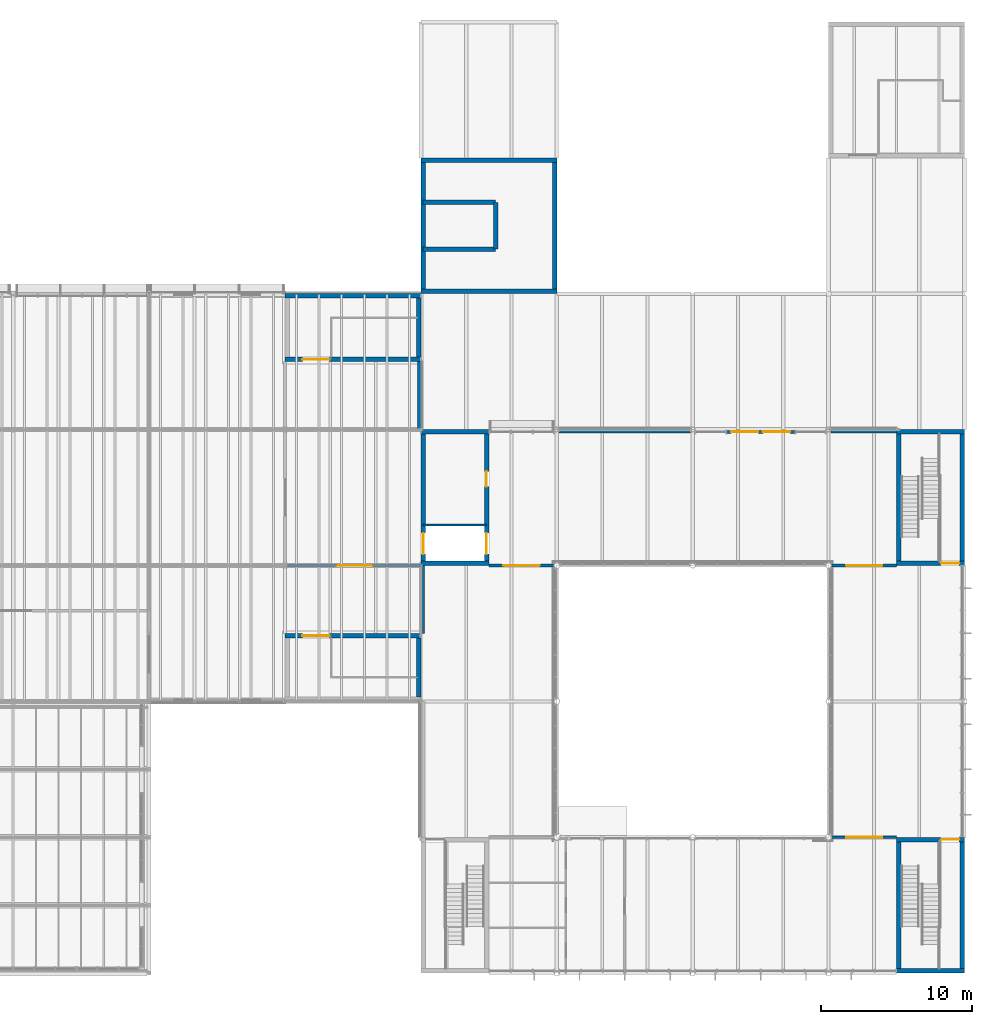
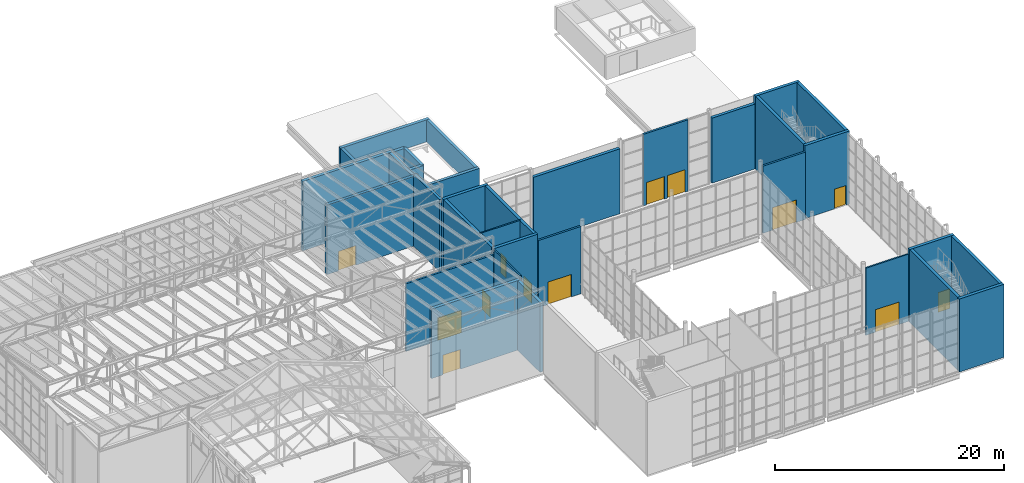
# One storey, part 76 of 90: 34 walls, 13 doors, 13 openings.
"""IFC4 building model written with IfcOpenShell, lengths in metres."""

from ifc_helpers import new_model, si_unit, direction, frame, frame_2d, origin, place, context, subcontext, project, spatial, rectangle, extrude, material, layer, layer_set, type_object, element, fill, save


model = new_model("IFC4")

# Units and contexts
model_context = context("Model", 3, precision=1e-05, world=origin(), true_north=direction((0.0, 1.0)))
body_context = subcontext(model_context, "Body", "Model", "MODEL_VIEW")
ifc_project = project(units=[si_unit("LENGTHUNIT", "METRE"), si_unit("AREAUNIT", "SQUARE_METRE"), si_unit("VOLUMEUNIT", "CUBIC_METRE"), si_unit("PLANEANGLEUNIT", "RADIAN"), si_unit("MASSUNIT", "GRAM", prefix="KILO")], contexts=[model_context])

# Site, building, storey
site_placement = place(None, origin())
site = spatial("IfcSite", under=ifc_project, at=site_placement, CompositionType="ELEMENT")
building_placement = place(site_placement, origin())
building = spatial("IfcBuilding", under=site, at=building_placement, Name="Halyard Row Museum", CompositionType="ELEMENT")
storey_placement = place(building_placement, frame((0.0, 0.0, 13.39990234375)))
storey = spatial("IfcBuildingStorey", under=building, at=storey_placement, Name="L03", CompositionType="ELEMENT", Elevation=13.39990234375)

# Walls
ifc_material_1 = material(Name="Concrete 40 MPa", Category="concrete")
ifc_layer_1 = layer(ifc_material_1, 0.300048828125)
ifc_layer_set_1 = layer_set([ifc_layer_1], Name="Concrete 40 MPa")
wall_type_1 = type_object("IfcWallType", Name="Core wall 300 lift shaft", PredefinedType="SOLIDWALL", material=ifc_layer_set_1)
wall_1_placement = place(storey_placement, frame((72.0, 45.14990234375, 0.0), z_axis=(0.0, 0.0, 1.0), x_axis=(1.0, 0.0, 0.0)))
element("IfcWall", 1, at=wall_1_placement, inside=storey, type_object=wall_type_1, Name="Core wall K8 S L03", PredefinedType="SOLIDWALL", context=body_context, shape_type="SweptSolid", body=[
    extrude(rectangle(XDim=9.0, YDim=0.300048828125, at=frame_2d((4.5, 0.0))), origin(), (0.0, 0.0, 1.0), 2.35009765625),
])
wall_2_placement = place(storey_placement, frame((80.85009765625, 45.300048828125, 0.0), z_axis=(0.0, 0.0, 1.0), x_axis=(0.0, 1.0, 0.0)))
element("IfcWall", 2, at=wall_2_placement, inside=storey, type_object=wall_type_1, Name="Core wall K8 E L03", PredefinedType="SOLIDWALL", context=body_context, shape_type="SweptSolid", body=[
    extrude(rectangle(XDim=8.39990234375, YDim=0.300048828125, at=frame_2d((4.199951171875, 0.0))), origin(), (0.0, 0.0, 1.0), 2.35009765625),
])
wall_3_placement = place(storey_placement, frame((72.0, 53.85009765625, 0.0), z_axis=(0.0, 0.0, 1.0), x_axis=(1.0, 0.0, 0.0)))
element("IfcWall", 3, at=wall_3_placement, inside=storey, type_object=wall_type_1, Name="Core wall K8 N L03", PredefinedType="SOLIDWALL", context=body_context, shape_type="SweptSolid", body=[
    extrude(rectangle(XDim=9.0, YDim=0.300048828125, at=frame_2d((4.5, 0.0))), origin(), (0.0, 0.0, 1.0), 2.35009765625),
])
wall_4_placement = place(storey_placement, frame((72.14990234375, 45.300048828125, 0.0), z_axis=(0.0, 0.0, 1.0), x_axis=(0.0, 1.0, 0.0)))
element("IfcWall", 4, at=wall_4_placement, inside=storey, type_object=wall_type_1, Name="Core wall K8 W L03", PredefinedType="SOLIDWALL", context=body_context, shape_type="SweptSolid", body=[
    extrude(rectangle(XDim=8.39990234375, YDim=0.300048828125, at=frame_2d((4.199951171875, 0.0))), origin(), (0.0, 0.0, 1.0), 2.35009765625),
])
wall_5_placement = place(storey_placement, frame((76.949951171875, 47.949951171875, 0.0), z_axis=(0.0, 0.0, 1.0), x_axis=(0.0, 1.0, 0.0)))
element("IfcWall", 5, at=wall_5_placement, inside=storey, type_object=wall_type_1, Name="Shaft wall GL1 front L03", PredefinedType="SOLIDWALL", context=body_context, shape_type="SweptSolid", body=[
    extrude(rectangle(XDim=3.10009765625, YDim=0.300048828125, at=frame_2d((1.550048828125, 0.0))), origin(), (0.0, 0.0, 1.0), 2.35009765625),
])
for number, where, z_axis, x_axis, name in (
    (6, (72.14990234375, 47.949951171875, 0.0), (0.0, 0.0, 1.0), (1.0, 0.0, 0.0), "Shaft wall GL1 A L03"),
    (7, (72.14990234375, 51.050048828125, 0.0), (0.0, 0.0, 1.0), (1.0, 0.0, 0.0), "Shaft wall GL1 B L03"),
):
    element("IfcWall", number, at=place(storey_placement, frame(where, z_axis=z_axis, x_axis=x_axis)), inside=storey, type_object=wall_type_1, Name=name, PredefinedType="SOLIDWALL", context=body_context, shape_type="SweptSolid", body=[
        extrude(rectangle(XDim=4.800048828125, YDim=0.300048828125, at=frame_2d((2.39990234375, 0.0))), origin(), (0.0, 0.0, 1.0), 2.35009765625),
    ])
wall_6_placement = place(storey_placement, frame((72.0, 27.14990234375, 0.0), z_axis=(0.0, 0.0, 1.0), x_axis=(1.0, 0.0, 0.0)))
element("IfcWall", 8, at=wall_6_placement, inside=storey, type_object=wall_type_1, Name="Core wall K7 S L03", PredefinedType="SOLIDWALL", context=body_context, shape_type="SweptSolid", body=[
    extrude(rectangle(XDim=4.5, YDim=0.300048828125, at=frame_2d((2.25, 0.0))), origin(), (0.0, 0.0, 1.0), 7.800048828125),
])

# Wall, openings, doors
wall_7_placement = place(storey_placement, frame((76.35009765625, 27.300048828125, 0.0), z_axis=(0.0, 0.0, 1.0), x_axis=(0.0, 1.0, 0.0)))
wall_7 = element("IfcWall", 9, at=wall_7_placement, inside=storey, type_object=wall_type_1, Name="Core wall K7 E L03", PredefinedType="SOLIDWALL", context=body_context, shape_type="SweptSolid", body=[
    extrude(rectangle(XDim=8.39990234375, YDim=0.300048828125, at=frame_2d((4.199951171875, 0.0))), origin(), (0.0, 0.0, 1.0), 7.800048828125),
])
opening_1_placement = place(wall_7_placement, frame((0.449951171875, 0.0, 0.0)))
opening_1 = element("IfcOpeningElement", 10, at=opening_1_placement, cuts=wall_7, Name="Opening LDPL1-L03", PredefinedType="OPENING", context=body_context, shape_type="SweptSolid", body=[
    extrude(rectangle(XDim=1.39990234375, YDim=2.10009765625, at=frame_2d((0.699951171875, 1.050048828125))), frame((0.0, 0.159912109375, 0.0), z_axis=(0.0, -1.0, 0.0), x_axis=(1.0, 0.0, 0.0)), (0.0, 0.0, 1.0), 0.320068359375),
])
opening_2_placement = place(wall_7_placement, frame((4.925048828125, 0.0, 0.0)))
opening_2 = element("IfcOpeningElement", 11, at=opening_2_placement, cuts=wall_7, Name="Opening DL03-009", PredefinedType="OPENING", context=body_context, shape_type="SweptSolid", body=[
    extrude(rectangle(XDim=1.0, YDim=2.10009765625, at=frame_2d((0.5, 1.050048828125))), frame((0.0, 0.159912109375, 0.0), z_axis=(0.0, -1.0, 0.0), x_axis=(1.0, 0.0, 0.0)), (0.0, 0.0, 1.0), 0.320068359375),
])
ifc_material_2 = material(Name="Stainless steel sliding car and landing doors", Category="steel")
door_type_1 = type_object("IfcDoorType", Name="Lift landing door 1400 x 2100", OperationType="SLIDING_TO_LEFT", PredefinedType="DOOR", material=ifc_material_2)
door_1_placement = place(opening_1_placement, origin())
door_1 = element("IfcDoor", 12, at=door_1_placement, inside=storey, type_object=door_type_1, Name="Landing door PL1 E L03", OperationType="SLIDING_TO_LEFT", OverallHeight=2.10009765625, OverallWidth=1.39990234375, PredefinedType="DOOR", context=body_context, shape_type="SweptSolid", body=[
    extrude(rectangle(XDim=1.39990234375, YDim=2.10009765625, at=frame_2d((0.699951171875, 1.050048828125))), frame((0.0, 0.02490234375, 0.0), z_axis=(0.0, -1.0, 0.0), x_axis=(1.0, 0.0, 0.0)), (0.0, 0.0, 1.0), 0.050048828125),
])
fill(opening_1, door_1)
ifc_material_3 = material(Name="Galvanised steel door leaf and frame", Category="steel")
door_type_2 = type_object("IfcDoorType", Name="Riser door 1000 x 2100 fire rated", OperationType="NOTDEFINED", PredefinedType="DOOR", material=ifc_material_3)
door_2_placement = place(opening_2_placement, frame((1.0, 0.0, 0.0), z_axis=(0.0, 0.0, 1.0), x_axis=(-1.0, 0.0, 0.0)))
door_2 = element("IfcDoor", 13, at=door_2_placement, inside=storey, type_object=door_type_2, Name="Riser door K7 L03", OperationType="SINGLE_SWING_RIGHT", OverallHeight=2.10009765625, OverallWidth=1.0, PredefinedType="DOOR", context=body_context, shape_type="SweptSolid", body=[
    extrude(rectangle(XDim=1.0, YDim=2.10009765625, at=frame_2d((0.5, 1.050048828125))), frame((0.0, 0.02490234375, 0.0), z_axis=(0.0, -1.0, 0.0), x_axis=(1.0, 0.0, 0.0)), (0.0, 0.0, 1.0), 0.050048828125),
])
fill(opening_2, door_2)

# Wall
wall_8_placement = place(storey_placement, frame((72.0, 35.85009765625, 0.0), z_axis=(0.0, 0.0, 1.0), x_axis=(1.0, 0.0, 0.0)))
element("IfcWall", 14, at=wall_8_placement, inside=storey, type_object=wall_type_1, Name="Core wall K7 N L03", PredefinedType="SOLIDWALL", context=body_context, shape_type="SweptSolid", body=[
    extrude(rectangle(XDim=4.5, YDim=0.300048828125, at=frame_2d((2.25, 0.0))), origin(), (0.0, 0.0, 1.0), 7.800048828125),
])

# Wall, opening, door
wall_9_placement = place(storey_placement, frame((72.14990234375, 27.300048828125, 0.0), z_axis=(0.0, 0.0, 1.0), x_axis=(0.0, 1.0, 0.0)))
wall_9 = element("IfcWall", 15, at=wall_9_placement, inside=storey, type_object=wall_type_1, Name="Core wall K7 W L03", PredefinedType="SOLIDWALL", context=body_context, shape_type="SweptSolid", body=[
    extrude(rectangle(XDim=8.39990234375, YDim=0.300048828125, at=frame_2d((4.199951171875, 0.0))), origin(), (0.0, 0.0, 1.0), 7.800048828125),
])
opening_3_placement = place(wall_9_placement, frame((0.449951171875, 0.0, 0.0)))
opening_3 = element("IfcOpeningElement", 16, at=opening_3_placement, cuts=wall_9, Name="Opening LDPL1W-L03", PredefinedType="OPENING", context=body_context, shape_type="SweptSolid", body=[
    extrude(rectangle(XDim=1.39990234375, YDim=2.10009765625, at=frame_2d((0.699951171875, 1.050048828125))), frame((0.0, 0.159912109375, 0.0), z_axis=(0.0, -1.0, 0.0), x_axis=(1.0, 0.0, 0.0)), (0.0, 0.0, 1.0), 0.320068359375),
])
door_3_placement = place(opening_3_placement, origin())
door_3 = element("IfcDoor", 17, at=door_3_placement, inside=storey, type_object=door_type_1, Name="Landing door PL1 W L03", OperationType="SLIDING_TO_RIGHT", OverallHeight=2.10009765625, OverallWidth=1.39990234375, PredefinedType="DOOR", context=body_context, shape_type="SweptSolid", body=[
    extrude(rectangle(XDim=1.39990234375, YDim=2.10009765625, at=frame_2d((0.699951171875, 1.050048828125))), frame((0.0, 0.02490234375, 0.0), z_axis=(0.0, -1.0, 0.0), x_axis=(1.0, 0.0, 0.0)), (0.0, 0.0, 1.0), 0.050048828125),
])
fill(opening_3, door_3)

# Wall, openings, doors
ifc_material_4 = material(Name="Powder-coated aluminium section", Category="aluminium")
ifc_layer_2 = layer(ifc_material_4, 0.199951171875)
ifc_layer_set_2 = layer_set([ifc_layer_2], Name="Powder-coated aluminium section")
wall_type_2 = type_object("IfcWallType", Name="Entrance screen frame 200 aluminium", PredefinedType="SOLIDWALL", material=ifc_layer_set_2)
wall_10_placement = place(storey_placement, frame((92.25, 35.85009765625, 0.0), z_axis=(0.0, 0.0, 1.0), x_axis=(1.0, 0.0, 0.0)))
wall_10 = element("IfcWall", 18, at=wall_10_placement, inside=storey, type_object=wall_type_2, Name="Wall WL03-813", PredefinedType="SOLIDWALL", context=body_context, shape_type="SweptSolid", body=[
    extrude(rectangle(XDim=4.5, YDim=0.199951171875, at=frame_2d((2.25, 0.0))), origin(), (0.0, 0.0, 1.0), 7.635009765625),
])
opening_4_placement = place(wall_10_placement, frame((2.39990234375, 0.0, 0.0)))
opening_4 = element("IfcOpeningElement", 19, at=opening_4_placement, cuts=wall_10, Name="Opening DL03-400", PredefinedType="OPENING", context=body_context, shape_type="SweptSolid", body=[
    extrude(rectangle(XDim=1.800048828125, YDim=2.39990234375, at=frame_2d((0.89990234375, 1.199951171875))), frame((0.0, 0.10986328125, 0.0), z_axis=(0.0, -1.0, 0.0), x_axis=(1.0, 0.0, 0.0)), (0.0, 0.0, 1.0), 0.219970703125),
])
opening_5_placement = place(wall_10_placement, frame((0.300048828125, 0.0, 0.0)))
opening_5 = element("IfcOpeningElement", 20, at=opening_5_placement, cuts=wall_10, Name="Opening DL03-401", PredefinedType="OPENING", context=body_context, shape_type="SweptSolid", body=[
    extrude(rectangle(XDim=1.800048828125, YDim=2.39990234375, at=frame_2d((0.89990234375, 1.199951171875))), frame((0.0, 0.10986328125, 0.0), z_axis=(0.0, -1.0, 0.0), x_axis=(1.0, 0.0, 0.0)), (0.0, 0.0, 1.0), 0.219970703125),
])
ifc_material_5 = material(Name="Powder-coated aluminium section", Category="aluminium")
door_type_3 = type_object("IfcDoorType", Name="Door DE6 terrace double glazed 1800 x 2400", OperationType="NOTDEFINED", PredefinedType="DOOR", material=ifc_material_5)
door_4_placement = place(opening_4_placement, origin())
door_4 = element("IfcDoor", 21, at=door_4_placement, inside=storey, type_object=door_type_3, Name="Door DL03-400", OperationType="DOUBLE_DOOR_SINGLE_SWING", OverallHeight=2.39990234375, OverallWidth=1.800048828125, PredefinedType="DOOR", context=body_context, shape_type="SweptSolid", body=[
    extrude(rectangle(XDim=1.800048828125, YDim=2.39990234375, at=frame_2d((0.89990234375, 1.199951171875))), frame((0.0, 0.02490234375, 0.0), z_axis=(0.0, -1.0, 0.0), x_axis=(1.0, 0.0, 0.0)), (0.0, 0.0, 1.0), 0.050048828125),
])
fill(opening_4, door_4)
door_5_placement = place(opening_5_placement, origin())
door_5 = element("IfcDoor", 22, at=door_5_placement, inside=storey, type_object=door_type_3, Name="Door DL03-401", OperationType="DOUBLE_DOOR_SINGLE_SWING", OverallHeight=2.39990234375, OverallWidth=1.800048828125, PredefinedType="DOOR", context=body_context, shape_type="SweptSolid", body=[
    extrude(rectangle(XDim=1.800048828125, YDim=2.39990234375, at=frame_2d((0.89990234375, 1.199951171875))), frame((0.0, 0.02490234375, 0.0), z_axis=(0.0, -1.0, 0.0), x_axis=(1.0, 0.0, 0.0)), (0.0, 0.0, 1.0), 0.050048828125),
])
fill(opening_5, door_5)

# Wall, opening, door
ifc_material_6 = material(Name="Concrete 40 MPa", Category="concrete")
ifc_layer_3 = layer(ifc_material_6, 0.300048828125)
ifc_layer_set_3 = layer_set([ifc_layer_3], Name="Concrete 40 MPa")
wall_type_3 = type_object("IfcWallType", Name="Exitway wall 300 reinforced concrete", PredefinedType="SOLIDWALL", material=ifc_layer_set_3)
wall_11_placement = place(storey_placement, frame((63.0, 40.64990234375, 0.0), z_axis=(0.0, 0.0, 1.0), x_axis=(1.0, 0.0, 0.0)))
wall_11 = element("IfcWall", 23, at=wall_11_placement, inside=storey, type_object=wall_type_3, Name="Core wall K1B S L03", PredefinedType="SOLIDWALL", context=body_context, shape_type="SweptSolid", body=[
    extrude(rectangle(XDim=9.0, YDim=0.300048828125, at=frame_2d((4.5, 0.0))), origin(), (0.0, 0.0, 1.0), 7.42822265625),
])
opening_6_placement = place(wall_11_placement, frame((1.14990234375, 0.0, 0.0)))
opening_6 = element("IfcOpeningElement", 24, at=opening_6_placement, cuts=wall_11, Name="Opening DL03-002", PredefinedType="OPENING", context=body_context, shape_type="SweptSolid", body=[
    extrude(rectangle(XDim=1.800048828125, YDim=2.10009765625, at=frame_2d((0.89990234375, 1.050048828125))), frame((0.0, 0.159912109375, 0.0), z_axis=(0.0, -1.0, 0.0), x_axis=(1.0, 0.0, 0.0)), (0.0, 0.0, 1.0), 0.320068359375),
])
ifc_material_7 = material(Name="Fire-resisting timber door leaf and steel frame", Category="steel")
door_type_4 = type_object("IfcDoorType", Name="Exitway door 1800 x 2100 fire rated", OperationType="NOTDEFINED", PredefinedType="DOOR", material=ifc_material_7)
door_6_placement = place(opening_6_placement, origin())
door_6 = element("IfcDoor", 25, at=door_6_placement, inside=storey, type_object=door_type_4, Name="Exitway door K1B L03", OperationType="DOUBLE_DOOR_SINGLE_SWING", OverallHeight=2.10009765625, OverallWidth=1.800048828125, PredefinedType="DOOR", context=body_context, shape_type="SweptSolid", body=[
    extrude(rectangle(XDim=1.800048828125, YDim=2.10009765625, at=frame_2d((0.89990234375, 1.050048828125))), frame((0.0, 0.02490234375, 0.0), z_axis=(0.0, -1.0, 0.0), x_axis=(1.0, 0.0, 0.0)), (0.0, 0.0, 1.0), 0.050048828125),
])
fill(opening_6, door_6)

# Walls
wall_12_placement = place(storey_placement, frame((71.85009765625, 40.800048828125, 0.0), z_axis=(0.0, 0.0, 1.0), x_axis=(0.0, 1.0, 0.0)))
element("IfcWall", 26, at=wall_12_placement, inside=storey, type_object=wall_type_3, Name="Core wall K1B E L03", PredefinedType="SOLIDWALL", context=body_context, shape_type="SweptSolid", body=[
    extrude(rectangle(XDim=3.89990234375, YDim=0.300048828125, at=frame_2d((1.949951171875, 0.0))), origin(), (0.0, 0.0, 1.0), 7.42822265625),
])
wall_13_placement = place(storey_placement, frame((63.0, 44.85009765625, 0.0), z_axis=(0.0, 0.0, 1.0), x_axis=(1.0, 0.0, 0.0)))
element("IfcWall", 27, at=wall_13_placement, inside=storey, type_object=wall_type_3, Name="Core wall K1B N L03", PredefinedType="SOLIDWALL", context=body_context, shape_type="SweptSolid", body=[
    extrude(rectangle(XDim=9.0, YDim=0.300048828125, at=frame_2d((4.5, 0.0))), origin(), (0.0, 0.0, 1.0), 7.42822265625),
])
wall_14_placement = place(storey_placement, frame((71.85009765625, 18.300048828125, 0.0), z_axis=(0.0, 0.0, 1.0), x_axis=(0.0, 1.0, 0.0)))
element("IfcWall", 28, at=wall_14_placement, inside=storey, type_object=wall_type_3, Name="Core wall K1C E L03", PredefinedType="SOLIDWALL", context=body_context, shape_type="SweptSolid", body=[
    extrude(rectangle(XDim=3.89990234375, YDim=0.300048828125, at=frame_2d((1.949951171875, 0.0))), origin(), (0.0, 0.0, 1.0), 7.42822265625),
])

# Wall, opening, door
wall_15_placement = place(storey_placement, frame((63.0, 22.35009765625, 0.0), z_axis=(0.0, 0.0, 1.0), x_axis=(1.0, 0.0, 0.0)))
wall_15 = element("IfcWall", 29, at=wall_15_placement, inside=storey, type_object=wall_type_3, Name="Core wall K1C N L03", PredefinedType="SOLIDWALL", context=body_context, shape_type="SweptSolid", body=[
    extrude(rectangle(XDim=9.0, YDim=0.300048828125, at=frame_2d((4.5, 0.0))), origin(), (0.0, 0.0, 1.0), 7.42822265625),
])
opening_7_placement = place(wall_15_placement, frame((1.14990234375, 0.0, 0.0)))
opening_7 = element("IfcOpeningElement", 30, at=opening_7_placement, cuts=wall_15, Name="Opening DL03-003", PredefinedType="OPENING", context=body_context, shape_type="SweptSolid", body=[
    extrude(rectangle(XDim=1.800048828125, YDim=2.10009765625, at=frame_2d((0.89990234375, 1.050048828125))), frame((0.0, 0.159912109375, 0.0), z_axis=(0.0, -1.0, 0.0), x_axis=(1.0, 0.0, 0.0)), (0.0, 0.0, 1.0), 0.320068359375),
])
door_7_placement = place(opening_7_placement, frame((1.800048828125, 0.0, 0.0), z_axis=(0.0, 0.0, 1.0), x_axis=(-1.0, 0.0, 0.0)))
door_7 = element("IfcDoor", 31, at=door_7_placement, inside=storey, type_object=door_type_4, Name="Exitway door K1C L03", OperationType="DOUBLE_DOOR_SINGLE_SWING", OverallHeight=2.10009765625, OverallWidth=1.800048828125, PredefinedType="DOOR", context=body_context, shape_type="SweptSolid", body=[
    extrude(rectangle(XDim=1.800048828125, YDim=2.10009765625, at=frame_2d((0.89990234375, 1.050048828125))), frame((0.0, 0.02490234375, 0.0), z_axis=(0.0, -1.0, 0.0), x_axis=(1.0, 0.0, 0.0)), (0.0, 0.0, 1.0), 0.050048828125),
])
fill(opening_7, door_7)

# Walls
wall_16_placement = place(storey_placement, frame((103.5, 0.14990234375, 0.0), z_axis=(0.0, 0.0, 1.0), x_axis=(1.0, 0.0, 0.0)))
element("IfcWall", 32, at=wall_16_placement, inside=storey, type_object=wall_type_3, Name="Core wall K2B S L03", PredefinedType="SOLIDWALL", context=body_context, shape_type="SweptSolid", body=[
    extrude(rectangle(XDim=4.5, YDim=0.300048828125, at=frame_2d((2.25, 0.0))), origin(), (0.0, 0.0, 1.0), 7.800048828125),
])
wall_17_placement = place(storey_placement, frame((107.85009765625, 0.300048828125, 0.0), z_axis=(0.0, 0.0, 1.0), x_axis=(0.0, 1.0, 0.0)))
element("IfcWall", 33, at=wall_17_placement, inside=storey, type_object=wall_type_3, Name="Core wall K2B E L03", PredefinedType="SOLIDWALL", context=body_context, shape_type="SweptSolid", body=[
    extrude(rectangle(XDim=8.39990234375, YDim=0.300048828125, at=frame_2d((4.199951171875, 0.0))), origin(), (0.0, 0.0, 1.0), 7.800048828125),
])

# Wall, opening, door
wall_18_placement = place(storey_placement, frame((103.5, 8.85009765625, 0.0), z_axis=(0.0, 0.0, 1.0), x_axis=(1.0, 0.0, 0.0)))
wall_18 = element("IfcWall", 34, at=wall_18_placement, inside=storey, type_object=wall_type_3, Name="Core wall K2B N L03", PredefinedType="SOLIDWALL", context=body_context, shape_type="SweptSolid", body=[
    extrude(rectangle(XDim=4.5, YDim=0.300048828125, at=frame_2d((2.25, 0.0))), origin(), (0.0, 0.0, 1.0), 7.800048828125),
])
opening_8_placement = place(wall_18_placement, frame((2.949951171875, 0.0, 0.0)))
opening_8 = element("IfcOpeningElement", 35, at=opening_8_placement, cuts=wall_18, Name="Opening DL03-006", PredefinedType="OPENING", context=body_context, shape_type="SweptSolid", body=[
    extrude(rectangle(XDim=1.199951171875, YDim=2.10009765625, at=frame_2d((0.60009765625, 1.050048828125))), frame((0.0, 0.159912109375, 0.0), z_axis=(0.0, -1.0, 0.0), x_axis=(1.0, 0.0, 0.0)), (0.0, 0.0, 1.0), 0.320068359375),
])
ifc_material_8 = material(Name="Fire-resisting timber door leaf and steel frame", Category="steel")
door_type_5 = type_object("IfcDoorType", Name="Exitway door 1200 x 2100 fire rated", OperationType="NOTDEFINED", PredefinedType="DOOR", material=ifc_material_8)
door_8_placement = place(opening_8_placement, frame((1.199951171875, 0.0, 0.0), z_axis=(0.0, 0.0, 1.0), x_axis=(-1.0, 0.0, 0.0)))
door_8 = element("IfcDoor", 36, at=door_8_placement, inside=storey, type_object=door_type_5, Name="Exitway door K2B L03", OperationType="SINGLE_SWING_RIGHT", OverallHeight=2.10009765625, OverallWidth=1.199951171875, PredefinedType="DOOR", context=body_context, shape_type="SweptSolid", body=[
    extrude(rectangle(XDim=1.199951171875, YDim=2.10009765625, at=frame_2d((0.60009765625, 1.050048828125))), frame((0.0, 0.02490234375, 0.0), z_axis=(0.0, -1.0, 0.0), x_axis=(1.0, 0.0, 0.0)), (0.0, 0.0, 1.0), 0.050048828125),
])
fill(opening_8, door_8)

# Wall
wall_19_placement = place(storey_placement, frame((103.64990234375, 0.300048828125, 0.0), z_axis=(0.0, 0.0, 1.0), x_axis=(0.0, 1.0, 0.0)))
element("IfcWall", 37, at=wall_19_placement, inside=storey, type_object=wall_type_3, Name="Core wall K2B W L03", PredefinedType="SOLIDWALL", context=body_context, shape_type="SweptSolid", body=[
    extrude(rectangle(XDim=8.39990234375, YDim=0.300048828125, at=frame_2d((4.199951171875, 0.0))), origin(), (0.0, 0.0, 1.0), 7.800048828125),
])

# Wall, opening, door
wall_20_placement = place(storey_placement, frame((103.5, 27.14990234375, 0.0), z_axis=(0.0, 0.0, 1.0), x_axis=(1.0, 0.0, 0.0)))
wall_20 = element("IfcWall", 38, at=wall_20_placement, inside=storey, type_object=wall_type_3, Name="Core wall K2C S L03", PredefinedType="SOLIDWALL", context=body_context, shape_type="SweptSolid", body=[
    extrude(rectangle(XDim=4.5, YDim=0.300048828125, at=frame_2d((2.25, 0.0))), origin(), (0.0, 0.0, 1.0), 7.800048828125),
])
opening_9_placement = place(wall_20_placement, frame((2.949951171875, 0.0, 0.0)))
opening_9 = element("IfcOpeningElement", 39, at=opening_9_placement, cuts=wall_20, Name="Opening DL03-007", PredefinedType="OPENING", context=body_context, shape_type="SweptSolid", body=[
    extrude(rectangle(XDim=1.199951171875, YDim=2.10009765625, at=frame_2d((0.60009765625, 1.050048828125))), frame((0.0, 0.159912109375, 0.0), z_axis=(0.0, -1.0, 0.0), x_axis=(1.0, 0.0, 0.0)), (0.0, 0.0, 1.0), 0.320068359375),
])
door_9_placement = place(opening_9_placement, origin())
door_9 = element("IfcDoor", 40, at=door_9_placement, inside=storey, type_object=door_type_5, Name="Exitway door K2C L03", OperationType="SINGLE_SWING_LEFT", OverallHeight=2.10009765625, OverallWidth=1.199951171875, PredefinedType="DOOR", context=body_context, shape_type="SweptSolid", body=[
    extrude(rectangle(XDim=1.199951171875, YDim=2.10009765625, at=frame_2d((0.60009765625, 1.050048828125))), frame((0.0, 0.02490234375, 0.0), z_axis=(0.0, -1.0, 0.0), x_axis=(1.0, 0.0, 0.0)), (0.0, 0.0, 1.0), 0.050048828125),
])
fill(opening_9, door_9)

# Walls
wall_21_placement = place(storey_placement, frame((107.85009765625, 27.300048828125, 0.0), z_axis=(0.0, 0.0, 1.0), x_axis=(0.0, 1.0, 0.0)))
element("IfcWall", 41, at=wall_21_placement, inside=storey, type_object=wall_type_3, Name="Core wall K2C E L03", PredefinedType="SOLIDWALL", context=body_context, shape_type="SweptSolid", body=[
    extrude(rectangle(XDim=8.39990234375, YDim=0.300048828125, at=frame_2d((4.199951171875, 0.0))), origin(), (0.0, 0.0, 1.0), 7.800048828125),
])
wall_22_placement = place(storey_placement, frame((103.5, 35.85009765625, 0.0), z_axis=(0.0, 0.0, 1.0), x_axis=(1.0, 0.0, 0.0)))
element("IfcWall", 42, at=wall_22_placement, inside=storey, type_object=wall_type_3, Name="Core wall K2C N L03", PredefinedType="SOLIDWALL", context=body_context, shape_type="SweptSolid", body=[
    extrude(rectangle(XDim=4.5, YDim=0.300048828125, at=frame_2d((2.25, 0.0))), origin(), (0.0, 0.0, 1.0), 7.800048828125),
])
wall_23_placement = place(storey_placement, frame((103.64990234375, 27.300048828125, 0.0), z_axis=(0.0, 0.0, 1.0), x_axis=(0.0, 1.0, 0.0)))
element("IfcWall", 43, at=wall_23_placement, inside=storey, type_object=wall_type_3, Name="Core wall K2C W L03", PredefinedType="SOLIDWALL", context=body_context, shape_type="SweptSolid", body=[
    extrude(rectangle(XDim=8.39990234375, YDim=0.300048828125, at=frame_2d((4.199951171875, 0.0))), origin(), (0.0, 0.0, 1.0), 7.800048828125),
])
ifc_material_9 = material(Name="Plasterboard on steel studs with mineral wool", Category="steel")
ifc_layer_4 = layer(ifc_material_9, 0.14990234375)
ifc_layer_set_4 = layer_set([ifc_layer_4], Name="Plasterboard on steel studs with mineral wool")
wall_type_4 = type_object("IfcWallType", Name="Gallery wall 150", PredefinedType="PARTITIONING", material=ifc_layer_set_4)
wall_24_placement = place(storey_placement, frame((72.175048828125, 22.5, 0.0), z_axis=(0.0, 0.0, 1.0), x_axis=(0.0, 1.0, 0.0)))
element("IfcWall", 44, at=wall_24_placement, inside=storey, type_object=wall_type_4, Name="Partition Grand Gallery / Permanent Gallery Pacific Art", PredefinedType="PARTITIONING", context=body_context, shape_type="SweptSolid", body=[
    extrude(rectangle(XDim=4.5, YDim=0.14990234375, at=frame_2d((2.25, 0.0))), origin(), (0.0, 0.0, 1.0), 7.635009765625),
])

# Wall, opening, door
wall_25_placement = place(storey_placement, frame((99.203125, 9.0, 0.0), z_axis=(0.0, 0.0, 1.0), x_axis=(1.0, 0.0, 0.0)))
wall_25 = element("IfcWall", 45, at=wall_25_placement, inside=storey, type_object=wall_type_4, Name="Partition Permanent Gallery Contemporary / Permanent Gallery Photography L03", PredefinedType="PARTITIONING", context=body_context, shape_type="SweptSolid", body=[
    extrude(rectangle(XDim=4.296875, YDim=0.14990234375, at=frame_2d((2.1484375, 0.0))), origin(), (0.0, 0.0, 1.0), 7.1748046875),
])
opening_10_placement = place(wall_25_placement, frame((0.949951171875, 0.0, 0.0)))
opening_10 = element("IfcOpeningElement", 46, at=opening_10_placement, cuts=wall_25, Name="Opening DL03-015", PredefinedType="OPENING", context=body_context, shape_type="SweptSolid", body=[
    extrude(rectangle(XDim=2.39990234375, YDim=2.39990234375, at=frame_2d((1.199951171875, 1.199951171875))), frame((0.0, 0.0849609375, 0.0), z_axis=(0.0, -1.0, 0.0), x_axis=(1.0, 0.0, 0.0)), (0.0, 0.0, 1.0), 0.169921875),
])
ifc_material_10 = material(Name="Timber veneered door leaf and softwood frame", Category="wood")
door_type_6 = type_object("IfcDoorType", Name="Double door 2400 x 2400 gallery", OperationType="NOTDEFINED", PredefinedType="DOOR", material=ifc_material_10)
door_10_placement = place(opening_10_placement, frame((2.39990234375, 0.0, 0.0), z_axis=(0.0, 0.0, 1.0), x_axis=(-1.0, 0.0, 0.0)))
door_10 = element("IfcDoor", 47, at=door_10_placement, inside=storey, type_object=door_type_6, Name="Door Permanent Gallery Contemporary to Permanent Gallery Photography L03", OperationType="DOUBLE_DOOR_SINGLE_SWING", OverallHeight=2.39990234375, OverallWidth=2.39990234375, PredefinedType="DOOR", context=body_context, shape_type="SweptSolid", body=[
    extrude(rectangle(XDim=2.39990234375, YDim=2.39990234375, at=frame_2d((1.199951171875, 1.199951171875))), frame((0.0, 0.02490234375, 0.0), z_axis=(0.0, -1.0, 0.0), x_axis=(1.0, 0.0, 0.0)), (0.0, 0.0, 1.0), 0.050048828125),
])
fill(opening_10, door_10)

ifc_material_11 = material(Name="Plasterboard on steel studs with mineral wool", Category="steel")
ifc_layer_5 = layer(ifc_material_11, 0.199951171875)
ifc_layer_set_5 = layer_set([ifc_layer_5], Name="Plasterboard on steel studs with mineral wool")
wall_type_5 = type_object("IfcWallType", Name="Gallery wall 200 double stud fire rated", PredefinedType="PARTITIONING", material=ifc_layer_set_5)
wall_26_placement = place(storey_placement, frame((63.152587890625, 27.0, 0.0), z_axis=(0.0, 0.0, 1.0), x_axis=(1.0, 0.0, 0.0)))
wall_26 = element("IfcWall", 48, at=wall_26_placement, inside=storey, type_object=wall_type_5, Name="Partition Grand Gallery / Lift Lobby L03 West", PredefinedType="PARTITIONING", context=body_context, shape_type="SweptSolid", body=[
    extrude(rectangle(XDim=8.847412109375, YDim=0.199951171875, at=frame_2d((4.423828125, 0.0))), origin(), (0.0, 0.0, 1.0), 7.232421875),
])
opening_11_placement = place(wall_26_placement, frame((3.25, 0.0, 0.0)))
opening_11 = element("IfcOpeningElement", 49, at=opening_11_placement, cuts=wall_26, Name="Opening DL03-012", PredefinedType="OPENING", context=body_context, shape_type="SweptSolid", body=[
    extrude(rectangle(XDim=2.39990234375, YDim=2.39990234375, at=frame_2d((1.199951171875, 1.199951171875))), frame((0.0, 0.10986328125, 0.0), z_axis=(0.0, -1.0, 0.0), x_axis=(1.0, 0.0, 0.0)), (0.0, 0.0, 1.0), 0.219970703125),
])
ifc_material_12 = material(Name="Timber veneered door leaf and softwood frame", Category="wood")
door_type_7 = type_object("IfcDoorType", Name="Double door 2400 x 2400 gallery fire rated", OperationType="NOTDEFINED", PredefinedType="DOOR", material=ifc_material_12)
door_11_placement = place(opening_11_placement, origin())
door_11 = element("IfcDoor", 50, at=door_11_placement, inside=storey, type_object=door_type_7, Name="Door Grand Gallery to Lift Lobby L03 West", OperationType="DOUBLE_DOOR_SINGLE_SWING", OverallHeight=2.39990234375, OverallWidth=2.39990234375, PredefinedType="DOOR", context=body_context, shape_type="SweptSolid", body=[
    extrude(rectangle(XDim=2.39990234375, YDim=2.39990234375, at=frame_2d((1.199951171875, 1.199951171875))), frame((0.0, 0.02490234375, 0.0), z_axis=(0.0, -1.0, 0.0), x_axis=(1.0, 0.0, 0.0)), (0.0, 0.0, 1.0), 0.050048828125),
])
fill(opening_11, door_11)

wall_27_placement = place(storey_placement, frame((76.5, 27.0, 0.0), z_axis=(0.0, 0.0, 1.0), x_axis=(1.0, 0.0, 0.0)))
wall_27 = element("IfcWall", 51, at=wall_27_placement, inside=storey, type_object=wall_type_5, Name="Partition Permanent Gallery Pacific Art / Lift Lobby L03 East", PredefinedType="PARTITIONING", context=body_context, shape_type="SweptSolid", body=[
    extrude(rectangle(XDim=4.296875, YDim=0.199951171875, at=frame_2d((2.1484375, 0.0))), origin(), (0.0, 0.0, 1.0), 7.1748046875),
])
opening_12_placement = place(wall_27_placement, frame((0.955078125, 0.0, 0.0)))
opening_12 = element("IfcOpeningElement", 52, at=opening_12_placement, cuts=wall_27, Name="Opening DL03-014", PredefinedType="OPENING", context=body_context, shape_type="SweptSolid", body=[
    extrude(rectangle(XDim=2.39990234375, YDim=2.39990234375, at=frame_2d((1.199951171875, 1.199951171875))), frame((0.0, 0.10986328125, 0.0), z_axis=(0.0, -1.0, 0.0), x_axis=(1.0, 0.0, 0.0)), (0.0, 0.0, 1.0), 0.219970703125),
])
door_12_placement = place(opening_12_placement, frame((2.39990234375, 0.0, 0.0), z_axis=(0.0, 0.0, 1.0), x_axis=(-1.0, 0.0, 0.0)))
door_12 = element("IfcDoor", 53, at=door_12_placement, inside=storey, type_object=door_type_7, Name="Door Permanent Gallery Pacific Art to Lift Lobby L03 East", OperationType="DOUBLE_DOOR_SINGLE_SWING", OverallHeight=2.39990234375, OverallWidth=2.39990234375, PredefinedType="DOOR", context=body_context, shape_type="SweptSolid", body=[
    extrude(rectangle(XDim=2.39990234375, YDim=2.39990234375, at=frame_2d((1.199951171875, 1.199951171875))), frame((0.0, 0.02490234375, 0.0), z_axis=(0.0, -1.0, 0.0), x_axis=(1.0, 0.0, 0.0)), (0.0, 0.0, 1.0), 0.050048828125),
])
fill(opening_12, door_12)

wall_28_placement = place(storey_placement, frame((99.203125, 27.0, 0.0), z_axis=(0.0, 0.0, 1.0), x_axis=(1.0, 0.0, 0.0)))
wall_28 = element("IfcWall", 54, at=wall_28_placement, inside=storey, type_object=wall_type_5, Name="Partition Permanent Gallery Photography L03 / Stair Lobby K2C L03", PredefinedType="PARTITIONING", context=body_context, shape_type="SweptSolid", body=[
    extrude(rectangle(XDim=4.296875, YDim=0.199951171875, at=frame_2d((2.1484375, 0.0))), origin(), (0.0, 0.0, 1.0), 7.1748046875),
])
opening_13_placement = place(wall_28_placement, frame((0.949951171875, 0.0, 0.0)))
opening_13 = element("IfcOpeningElement", 55, at=opening_13_placement, cuts=wall_28, Name="Opening DL03-016", PredefinedType="OPENING", context=body_context, shape_type="SweptSolid", body=[
    extrude(rectangle(XDim=2.39990234375, YDim=2.39990234375, at=frame_2d((1.199951171875, 1.199951171875))), frame((0.0, 0.10986328125, 0.0), z_axis=(0.0, -1.0, 0.0), x_axis=(1.0, 0.0, 0.0)), (0.0, 0.0, 1.0), 0.219970703125),
])
door_13_placement = place(opening_13_placement, frame((2.39990234375, 0.0, 0.0), z_axis=(0.0, 0.0, 1.0), x_axis=(-1.0, 0.0, 0.0)))
door_13 = element("IfcDoor", 56, at=door_13_placement, inside=storey, type_object=door_type_7, Name="Door Permanent Gallery Photography L03 to Stair Lobby K2C L03", OperationType="DOUBLE_DOOR_SINGLE_SWING", OverallHeight=2.39990234375, OverallWidth=2.39990234375, PredefinedType="DOOR", context=body_context, shape_type="SweptSolid", body=[
    extrude(rectangle(XDim=2.39990234375, YDim=2.39990234375, at=frame_2d((1.199951171875, 1.199951171875))), frame((0.0, 0.02490234375, 0.0), z_axis=(0.0, -1.0, 0.0), x_axis=(1.0, 0.0, 0.0)), (0.0, 0.0, 1.0), 0.050048828125),
])
fill(opening_13, door_13)

# Walls
ifc_material_13 = material(Name="Concrete 40 MPa", Category="concrete")
ifc_layer_6 = layer(ifc_material_13, 0.14990234375)
ifc_layer_set_6 = layer_set([ifc_layer_6], Name="Concrete 40 MPa")
wall_type_6 = type_object("IfcWallType", Name="Lift shaft divider 150", PredefinedType="SOLIDWALL", material=ifc_layer_set_6)
wall_29_placement = place(storey_placement, frame((72.14990234375, 29.675048828125, 0.0), z_axis=(0.0, 0.0, 1.0), x_axis=(1.0, 0.0, 0.0)))
element("IfcWall", 57, at=wall_29_placement, inside=storey, type_object=wall_type_6, Name="Shaft divider PL1 L03", PredefinedType="SOLIDWALL", context=body_context, shape_type="SweptSolid", body=[
    extrude(rectangle(XDim=4.2001953125, YDim=0.14990234375, at=frame_2d((2.10009765625, 0.0))), origin(), (0.0, 0.0, 1.0), 7.800048828125),
])
ifc_material_14 = material(Name="Fire-retardant timber rainscreen on insulated steel-stud wall", Category="steel")
ifc_layer_7 = layer(ifc_material_14, 0.300048828125)
ifc_layer_set_7 = layer_set([ifc_layer_7], Name="Fire-retardant timber rainscreen on insulated steel-stud wall")
wall_type_7 = type_object("IfcWallType", Name="Rainscreen wall 300 timber-clad", PredefinedType="SOLIDWALL", material=ifc_layer_set_7)
wall_30_placement = place(storey_placement, frame((99.14990234375, 35.909912109375, 0.0), z_axis=(0.0, 0.0, 1.0), x_axis=(1.0, 0.0, 0.0)))
element("IfcWall", 58, at=wall_30_placement, inside=storey, type_object=wall_type_7, Name="Wall WL03-802", PredefinedType="SOLIDWALL", context=body_context, shape_type="SweptSolid", body=[
    extrude(rectangle(XDim=4.35009765625, YDim=0.300048828125, at=frame_2d((2.175048828125, 0.0))), origin(), (0.0, 0.0, 1.0), 6.93505859375),
])
wall_31_placement = place(storey_placement, frame((81.14990234375, 35.909912109375, 0.0), z_axis=(0.0, 0.0, 1.0), x_axis=(1.0, 0.0, 0.0)))
element("IfcWall", 59, at=wall_31_placement, inside=storey, type_object=wall_type_7, Name="Wall WL03-803", PredefinedType="SOLIDWALL", context=body_context, shape_type="SweptSolid", body=[
    extrude(rectangle(XDim=8.7001953125, YDim=0.300048828125, at=frame_2d((4.35009765625, 0.0))), origin(), (0.0, 0.0, 1.0), 6.93505859375),
])
wall_32_placement = place(storey_placement, frame((71.909912109375, 36.0, 0.0), z_axis=(0.0, 0.0, 1.0), x_axis=(0.0, 1.0, 0.0)))
element("IfcWall", 60, at=wall_32_placement, inside=storey, type_object=wall_type_7, Name="Wall WL03-804", PredefinedType="SOLIDWALL", context=body_context, shape_type="SweptSolid", body=[
    extrude(rectangle(XDim=4.5, YDim=0.300048828125, at=frame_2d((2.25, 0.0))), origin(), (0.0, 0.0, 1.0), 7.67822265625),
])

save(model, "model.ifc")
